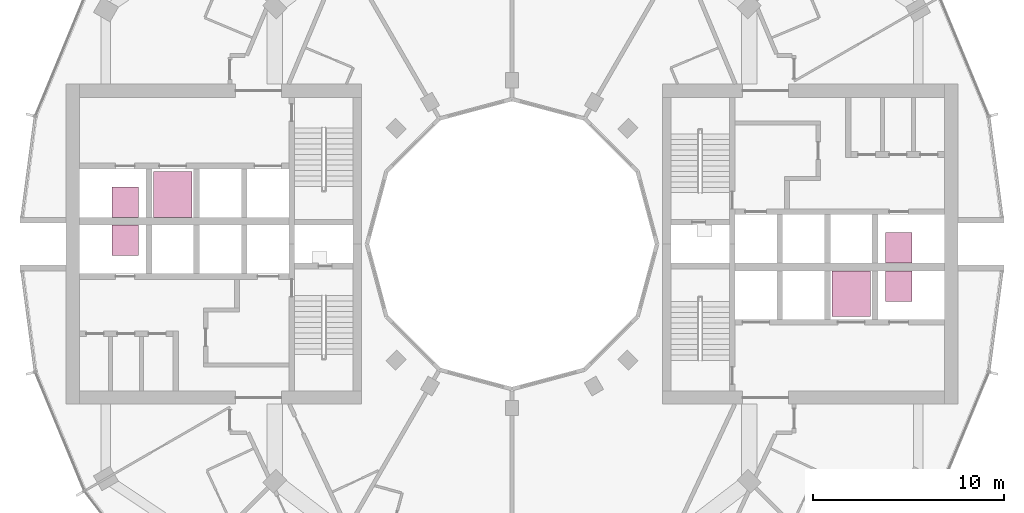
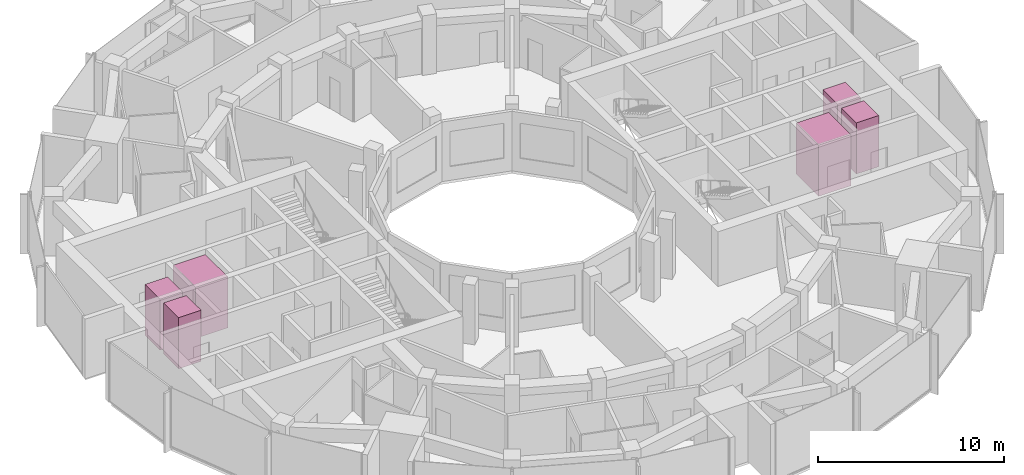
# One storey, part 15 of 15: 6 transport elements.
"""IFC4 building model written with IfcOpenShell, lengths in metres."""

import ifcopenshell
import ifcopenshell.guid

model = None  # the IFC model being written
_history = None  # IfcOwnerHistory: only IFC2X3 demands one
_inside = {}  # id of a spatial element -> (the spatial element, [elements in it])
_under = {}  # id of a project, library or spatial element -> (it, [spatial elements below it])
_declared = {}  # id of a project -> (the project, [libraries it declares])
_typed = {}  # id of a type object -> (the type object, [elements of that type])
_made_of = {}  # id of a material, layer set ... -> (it, [elements and type objects made of it])


def new_model(schema):
    """Start an empty IFC model of exactly this schema.

    Asked for "IFC4X3", IfcOpenShell would pick the latest addendum, in which some entities
    have other attributes; the version numbers below select the first issue.
    IFC2X3 requires an IfcOwnerHistory on every rooted entity: one is made here for all.
    """
    global model, _history
    if schema == "IFC4X3":
        model = ifcopenshell.file(schema_version=(4, 3, 0, 0))
    else:
        model = ifcopenshell.file(schema=schema)
    _inside.clear()
    _under.clear()
    _declared.clear()
    _typed.clear()
    _made_of.clear()
    _history = None
    if model.schema == "IFC2X3":
        org = make("IfcOrganization", Name="unknown")
        user = make(
            "IfcPersonAndOrganization",
            ThePerson=make("IfcPerson", FamilyName="unknown"),
            TheOrganization=org,
        )
        app = make(
            "IfcApplication",
            ApplicationDeveloper=org,
            Version="unknown",
            ApplicationFullName="unknown",
            ApplicationIdentifier="unknown",
        )
        _history = make(
            "IfcOwnerHistory",
            OwningUser=user,
            OwningApplication=app,
            ChangeAction="ADDED",
            CreationDate=0,
        )
    return model


def make(cls, **values):
    """One entity of the class cls with the attributes given. An attribute that is None is left unset."""
    return model.create_entity(
        cls, **{name: value for name, value in values.items() if value is not None}
    )


def rooted(cls, **values):
    """An entity with a GlobalId (a new one), such as an element, a storey or a relation."""
    return make(cls, GlobalId=ifcopenshell.guid.new(), OwnerHistory=_history, **values)


def si_unit(unit_type, name, prefix=None):
    """IfcSIUnit, for example si_unit("LENGTHUNIT", "METRE", prefix="MILLI")."""
    return make("IfcSIUnit", UnitType=unit_type, Prefix=prefix, Name=name)


def assignment(units):
    """IfcUnitAssignment: the units of a project."""
    return None if units is None else make("IfcUnitAssignment", Units=units)


def point(xyz):
    """IfcCartesianPoint."""
    return None if xyz is None else make("IfcCartesianPoint", Coordinates=xyz)


def direction(xyz):
    """IfcDirection."""
    return None if xyz is None else make("IfcDirection", DirectionRatios=xyz)


def frame(location, z_axis=None, x_axis=None):
    """IfcAxis2Placement3D, a coordinate frame: its origin and axes. An axis left out is left unset."""
    return make(
        "IfcAxis2Placement3D",
        Location=point(location),
        Axis=direction(z_axis),
        RefDirection=direction(x_axis),
    )


def frame_2d(location, x_axis=None):
    """IfcAxis2Placement2D, a coordinate frame in the plane: its origin and x axis."""
    return make(
        "IfcAxis2Placement2D", Location=point(location), RefDirection=direction(x_axis)
    )


def origin():
    """The frame at (0, 0, 0) with its axes left unset."""
    return frame((0.0, 0.0, 0.0))


def origin_2d():
    """The frame at (0, 0) in the plane with its x axis left unset."""
    return frame_2d((0.0, 0.0))


def place(relative_to, where):
    """IfcLocalPlacement: puts the frame where relative to a parent placement (None: the world)."""
    return make(
        "IfcLocalPlacement", PlacementRelTo=relative_to, RelativePlacement=where
    )


def context(
    kind, dimensions, precision=None, world=None, true_north=None, identifier=None
):
    """IfcGeometricRepresentationContext, for example the 3D "Model" context."""
    return make(
        "IfcGeometricRepresentationContext",
        ContextIdentifier=identifier,
        ContextType=kind,
        CoordinateSpaceDimension=dimensions,
        Precision=precision,
        WorldCoordinateSystem=world,
        TrueNorth=true_north,
    )


def subcontext(parent, identifier, kind, view, scale=None):
    """IfcGeometricRepresentationSubContext, for example "Body" below "Model"."""
    return make(
        "IfcGeometricRepresentationSubContext",
        ContextIdentifier=identifier,
        ContextType=kind,
        ParentContext=parent,
        TargetScale=scale,
        TargetView=view,
    )


def project(units=None, contexts=None):
    """IfcProject with its units and contexts."""
    return rooted(
        "IfcProject",
        Name="project",
        RepresentationContexts=contexts,
        UnitsInContext=assignment(units),
    )


def spatial(cls, under=None, at=None, **own):
    """A site, building, storey or space (cls), placed at a placement, below another one or the project."""
    s = rooted(cls, ObjectPlacement=at, **own)
    if under is not None:
        _under.setdefault(under.id(), (under, []))[1].append(s)
    return s


def profile(cls, at=None, kind="AREA", **sizes):
    """A parametric profile (cls). Its sizes go by their IFC names, for example OverallWidth=200.0."""
    return make(cls, ProfileType=kind, Position=at, **sizes)


def rectangle(**sizes):
    """IfcRectangleProfileDef."""
    return profile("IfcRectangleProfileDef", **sizes)


def extrude(swept, where, along, depth):
    """IfcExtrudedAreaSolid: the profile swept, set in the frame where, extruded along a direction by depth."""
    return make(
        "IfcExtrudedAreaSolid",
        SweptArea=swept,
        Position=where,
        ExtrudedDirection=direction(along),
        Depth=depth,
    )


def shape(context_of_items, identifier, shape_type, items):
    """IfcShapeRepresentation: the items that make up one representation, for example the "Body"."""
    return make(
        "IfcShapeRepresentation",
        ContextOfItems=context_of_items,
        RepresentationIdentifier=identifier,
        RepresentationType=shape_type,
        Items=items,
    )


def material(Name=None, Category=None):
    """IfcMaterial."""
    return make("IfcMaterial", Name=Name, Category=Category)


def made_of(thing, what):
    """Note that an element or type object is made of a material, layer set ...; save() writes the relation."""
    if what is not None:
        _made_of.setdefault(what.id(), (what, []))[1].append(thing)
    return thing


def type_object(cls, material=None, **own):
    """A type object (cls), such as IfcWallType, which elements share."""
    return made_of(rooted(cls, **own), material)


def element(
    cls,
    number,
    at=None,
    inside=None,
    cuts=None,
    type_object=None,
    material=None,
    context=None,
    identifier="Body",
    shape_type=None,
    held_by="IfcProductDefinitionShape",
    body=None,
    shapes=None,
    **own,
):
    """One element of the class cls, such as IfcWall. Its Tag is "e" and its number.

    at: its placement. inside: the storey or other place that contains it. cuts: it is an
    opening in that element (IfcRelVoidsElement). A single representation is given by context,
    identifier, shape_type and body (its items); several are given by shapes. held_by: the class
    of the entity that holds the representations. save() writes the other relations.
    """
    e = rooted(cls, Tag="e%d" % number, ObjectPlacement=at, **own)
    if body is not None:
        shapes = [shape(context, identifier, shape_type, body)]
    if shapes is not None:
        e.Representation = make(held_by, Representations=shapes)
    if inside is not None:
        _inside.setdefault(inside.id(), (inside, []))[1].append(e)
    if cuts is not None:
        rooted(
            "IfcRelVoidsElement", RelatingBuildingElement=cuts, RelatedOpeningElement=e
        )
    if type_object is not None:
        _typed.setdefault(type_object.id(), (type_object, []))[1].append(e)
    return made_of(e, material)


def aggregate(whole, parts):
    """IfcRelAggregates: a whole, such as a stair, and the parts it consists of."""
    return rooted("IfcRelAggregates", RelatingObject=whole, RelatedObjects=parts)


def save(model, path):
    """Write the relations noted so far, then the file.

    IfcRelAggregates (storeys below a building ...), IfcRelContainedInSpatialStructure (elements
    in a storey), IfcRelDefinesByType, IfcRelAssociatesMaterial and IfcRelDeclares: one each for
    every whole, place, type object, material and project.
    """
    for whole, parts in _under.values():
        aggregate(whole, parts)
    for where, things in _inside.values():
        rooted(
            "IfcRelContainedInSpatialStructure",
            RelatedElements=things,
            RelatingStructure=where,
        )
    for kind, things in _typed.values():
        rooted("IfcRelDefinesByType", RelatedObjects=things, RelatingType=kind)
    for what, things in _made_of.values():
        rooted("IfcRelAssociatesMaterial", RelatedObjects=things, RelatingMaterial=what)
    for by, libraries in _declared.values():
        rooted("IfcRelDeclares", RelatingContext=by, RelatedDefinitions=libraries)
    model.write(path)


model = new_model("IFC4")

# Units and contexts
model_context = context("Model", 3, precision=1e-05, world=origin(), true_north=direction((0.0, 1.0)))
body_context = subcontext(model_context, "Body", "Model", "MODEL_VIEW")
ifc_project = project(units=[si_unit("LENGTHUNIT", "METRE"), si_unit("AREAUNIT", "SQUARE_METRE"), si_unit("VOLUMEUNIT", "CUBIC_METRE"), si_unit("PLANEANGLEUNIT", "RADIAN"), si_unit("MASSUNIT", "GRAM", prefix="KILO")], contexts=[model_context])

# Site, building, storey
site_placement = place(None, origin())
site = spatial("IfcSite", under=ifc_project, at=site_placement, CompositionType="ELEMENT")
building_placement = place(site_placement, origin())
building = spatial("IfcBuilding", under=site, at=building_placement, Name="Torre Brocal", CompositionType="ELEMENT")
storey_placement = place(building_placement, frame((0.0, 0.0, 134.10009765625)))
storey = spatial("IfcBuildingStorey", under=building, at=storey_placement, Name="L31", CompositionType="ELEMENT", Elevation=134.10009765625)

# Transport elements
ifc_material_1 = material(Name="Stainless steel AISI 316", Category="steel")
transport_element_type_1 = type_object("IfcTransportElementType", Name="PASSENGER LIFT 2000", PredefinedType="ELEVATOR", material=ifc_material_1)
for number, where, z_axis, x_axis, name in (
    (1, (97.800048828125, 72.39990234375, -0.000244140625), (0.0, 0.0, 1.0), (1.0, 0.0, 0.0), "LOW RISE LIFT E-LR2"),
    (2, (62.199951171875, 77.60009765625, -0.000244140625), (0.0, 0.0, 1.0), (1.0, 0.0, 0.0), "LOW RISE LIFT W-LR2"),
):
    element("IfcTransportElement", number, at=place(storey_placement, frame(where, z_axis=z_axis, x_axis=x_axis)), inside=storey, type_object=transport_element_type_1, Name=name, PredefinedType="ELEVATOR", context=body_context, shape_type="SweptSolid", body=[
        extrude(rectangle(XDim=2.0, YDim=2.39990234375, at=origin_2d()), origin(), (0.0, 0.0, 1.0), 3.35009765625),
    ])
ifc_material_2 = material(Name="Stainless steel AISI 316", Category="steel")
transport_element_type_2 = type_object("IfcTransportElementType", Name="PASSENGER LIFT 900", PredefinedType="ELEVATOR", material=ifc_material_2)
for number, where, z_axis, x_axis, name in (
    (3, (100.300048828125, 74.800048828125, -0.000244140625), (0.0, 0.0, 1.0), (1.0, 0.0, 0.0), "LOW RISE LIFT E-LR1"),
    (4, (100.300048828125, 72.800048828125, -0.000244140625), (0.0, 0.0, 1.0), (1.0, 0.0, 0.0), "LOW RISE LIFT E-LR3"),
    (5, (59.699951171875, 75.199951171875, -0.000244140625), (0.0, 0.0, 1.0), (1.0, 0.0, 0.0), "LOW RISE LIFT W-LR1"),
    (6, (59.699951171875, 77.199951171875, -0.000244140625), (0.0, 0.0, 1.0), (1.0, 0.0, 0.0), "LOW RISE LIFT W-LR3"),
):
    element("IfcTransportElement", number, at=place(storey_placement, frame(where, z_axis=z_axis, x_axis=x_axis)), inside=storey, type_object=transport_element_type_2, Name=name, PredefinedType="ELEVATOR", context=body_context, shape_type="SweptSolid", body=[
        extrude(rectangle(XDim=1.39990234375, YDim=1.60009765625, at=origin_2d()), origin(), (0.0, 0.0, 1.0), 3.35009765625),
    ])

save(model, "model.ifc")
